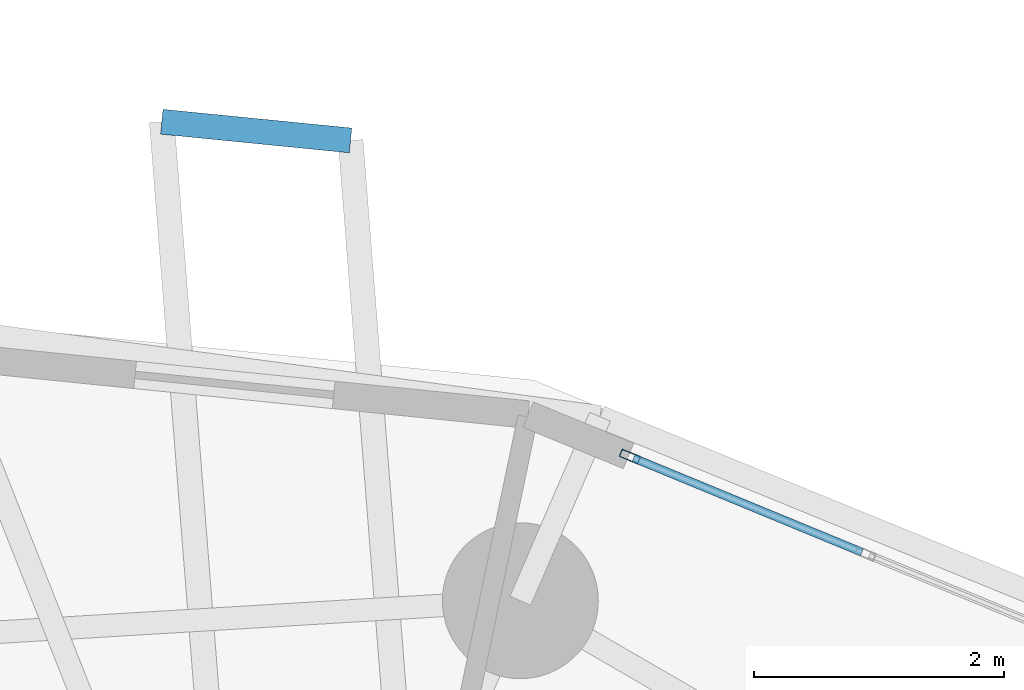
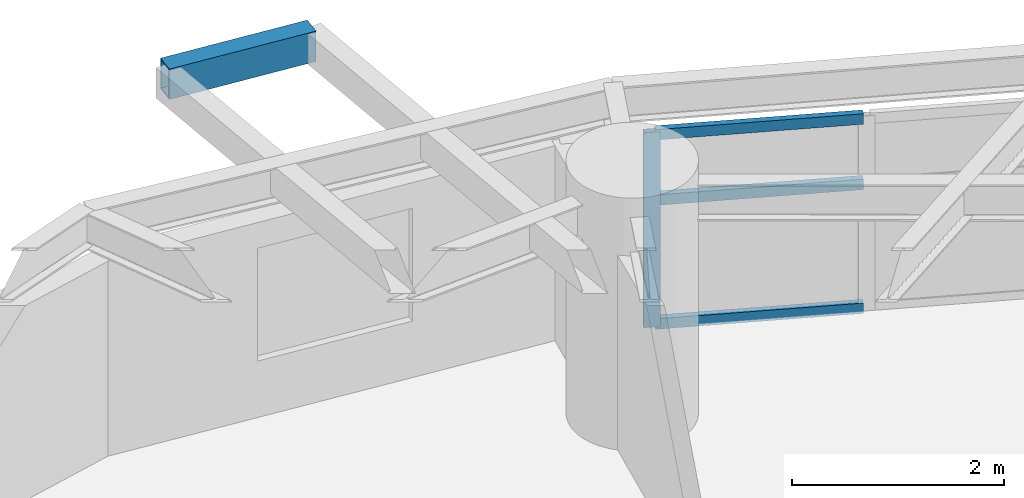
# One storey, part 7 of 19: 4 members, 1 beam, 1 element without a shape of its own.
"""IFC4 building model written with IfcOpenShell, lengths in metres."""

from ifc_helpers import new_model, si_unit, direction, frame, origin, origin_2d, place, context, subcontext, project, spatial, hollow_rectangle, extrude, material, layer, layer_set, material_profile, profile_set, type_object, element, aggregate, save


model = new_model("IFC4")

# Units and contexts
model_context = context("Model", 3, precision=1e-05, world=origin(), true_north=direction((0.0, 1.0)))
body_context = subcontext(model_context, "Body", "Model", "MODEL_VIEW")
ifc_project = project(units=[si_unit("LENGTHUNIT", "METRE"), si_unit("AREAUNIT", "SQUARE_METRE"), si_unit("VOLUMEUNIT", "CUBIC_METRE"), si_unit("PLANEANGLEUNIT", "RADIAN"), si_unit("MASSUNIT", "GRAM", prefix="KILO")], contexts=[model_context])

# Site, building, storey
site_placement = place(None, origin())
site = spatial("IfcSite", under=ifc_project, at=site_placement, CompositionType="ELEMENT")
building_placement = place(site_placement, origin())
building = spatial("IfcBuilding", under=site, at=building_placement, Name="Cununo Teusaquillo Station Towers", CompositionType="ELEMENT")
storey_placement = place(building_placement, frame((0.0, 0.0, 177.7900390625)))
storey = spatial("IfcBuildingStorey", under=building, at=storey_placement, Name="L56", CompositionType="ELEMENT", Elevation=177.7900390625)

# Beam
ifc_material_1 = material(Name="Steel EN 10025-2 S355J2", Category="steel")
ifc_material_profile_1 = material_profile(ifc_material_1, hollow_rectangle(XDim=0.199951171875, YDim=0.35009765625, WallThickness=0.013916015625, at=origin_2d()), Name="RHS 350x200x14")
ifc_profile_set_1 = profile_set([ifc_material_profile_1], Name="Steel EN 10025-2 S355J2")
beam_type = type_object("IfcBeamType", Name="BM-STAIR-TRIM", PredefinedType="BEAM", material=ifc_profile_set_1)
beam_placement = place(storey_placement, frame((56.93017578125, 41.324951171875, 2.52490234375), z_axis=(-0.995128963783, 0.098581668887, 0.0), x_axis=(-0.098581668887, -0.995128963783, 0.0)))
element("IfcBeam", 1, at=beam_placement, inside=storey, type_object=beam_type, Name="L56 Tower B Balcony Edge Trimmer Beam 1", PredefinedType="BEAM", context=body_context, shape_type="SweptSolid", body=[
    extrude(hollow_rectangle(XDim=0.199951171875, YDim=0.35009765625, WallThickness=0.013916015625, at=origin_2d()), origin(), (0.0, 0.0, 1.0), 1.5205078125),
])

# Curtain wall, members
ifc_material_2 = material(Name="Operable acoustic tinted low-E double glazing", Category="glass")
ifc_layer = layer(ifc_material_2, 0.179931640625)
ifc_layer_set = layer_set([ifc_layer], Name="Operable acoustic tinted low-E double glazing")
curtain_wall_type = type_object("IfcCurtainWallType", Name="CW-SYS-06", PredefinedType="USERDEFINED", material=ifc_layer_set)
curtain_wall_placement = place(storey_placement, origin())
curtain_wall = element("IfcCurtainWall", 2, at=curtain_wall_placement, inside=storey, type_object=curtain_wall_type, Name="L56 Tower B Facade Curtain Wall C01", ObjectType="OPERABLE GLAZING", PredefinedType="USERDEFINED")
ifc_material_3 = material(Name="Anodised dark bronze aluminium EN AW-6063-T6", Category="aluminium")
ifc_material_profile_2 = material_profile(ifc_material_3, hollow_rectangle(XDim=0.06494140625, YDim=0.159912109375, WallThickness=0.00390625, at=origin_2d()), Name="CW-MULL-65x160")
ifc_profile_set_2 = profile_set([ifc_material_profile_2], Name="Anodised dark bronze aluminium EN AW-6063-T6")
member_type_1 = type_object("IfcMemberType", Name="CWM-160", PredefinedType="MULLION", material=ifc_profile_set_2)
member_1_placement = place(storey_placement, frame((59.16943359375, 38.791015625, 0.0), z_axis=(0.0, 0.0, 1.0), x_axis=(0.381229322376, 0.924480504803, 0.0)))
member_1 = element("IfcMember", 3, at=member_1_placement, type_object=member_type_1, Name="CW-06 mullion 1", PredefinedType="MULLION", context=body_context, shape_type="SweptSolid", body=[
    extrude(hollow_rectangle(XDim=0.06494140625, YDim=0.159912109375, WallThickness=0.00390625, at=origin_2d()), origin(), (0.0, 0.0, 1.0), 2.244873046875),
])
ifc_material_4 = material(Name="Anodised dark bronze aluminium EN AW-6063-T6", Category="aluminium")
ifc_material_profile_3 = material_profile(ifc_material_4, hollow_rectangle(XDim=0.06494140625, YDim=0.1201171875, WallThickness=0.00390625, at=origin_2d()), Name="CW-TRAN-65x120")
ifc_profile_set_3 = profile_set([ifc_material_profile_3], Name="Anodised dark bronze aluminium EN AW-6063-T6")
member_type_2 = type_object("IfcMemberType", Name="CWT-120", PredefinedType="USERDEFINED", material=ifc_profile_set_3)
member_2_placement = place(storey_placement, frame((59.199462890625, 38.77880859375, 0.032470703125), z_axis=(0.924450559311, -0.381301932056, 0.0), x_axis=(0.381301932056, 0.924450559311, 0.0)))
member_2 = element("IfcMember", 4, at=member_2_placement, type_object=member_type_2, Name="CW-06 transom 1.1", ObjectType="TRANSOM", PredefinedType="USERDEFINED", context=body_context, shape_type="SweptSolid", body=[
    extrude(hollow_rectangle(XDim=0.06494140625, YDim=0.1201171875, WallThickness=0.00390625, at=origin_2d()), origin(), (0.0, 0.0, 1.0), 1.97900390625),
])
member_3_placement = place(storey_placement, frame((59.199462890625, 38.77880859375, 1.458984375), z_axis=(0.924450559311, -0.381301932056, 0.0), x_axis=(0.381301932056, 0.924450559311, 0.0)))
member_3 = element("IfcMember", 5, at=member_3_placement, type_object=member_type_2, Name="CW-06 transom 1.2", ObjectType="TRANSOM", PredefinedType="USERDEFINED", context=body_context, shape_type="SweptSolid", body=[
    extrude(hollow_rectangle(XDim=0.06494140625, YDim=0.1201171875, WallThickness=0.00390625, at=origin_2d()), origin(), (0.0, 0.0, 1.0), 1.97900390625),
])
member_4_placement = place(storey_placement, frame((59.199462890625, 38.77880859375, 2.21240234375), z_axis=(0.924450559311, -0.381301932056, 0.0), x_axis=(0.381301932056, 0.924450559311, 0.0)))
member_4 = element("IfcMember", 6, at=member_4_placement, type_object=member_type_2, Name="CW-06 transom 1.3", ObjectType="TRANSOM", PredefinedType="USERDEFINED", context=body_context, shape_type="SweptSolid", body=[
    extrude(hollow_rectangle(XDim=0.06494140625, YDim=0.1201171875, WallThickness=0.00390625, at=origin_2d()), origin(), (0.0, 0.0, 1.0), 1.97900390625),
])
aggregate(curtain_wall, [member_1, member_2, member_3, member_4])

save(model, "model.ifc")
